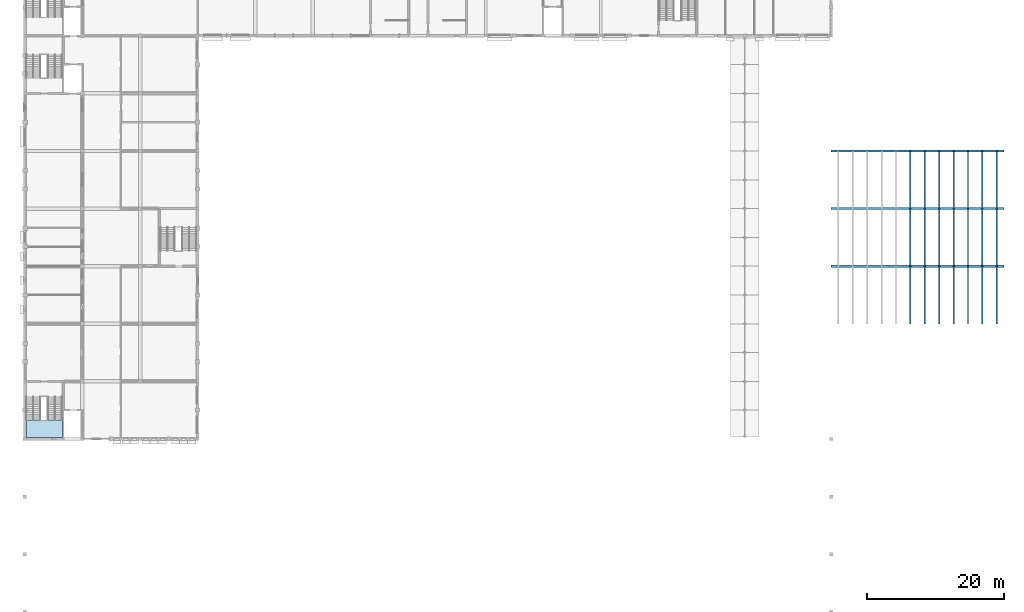
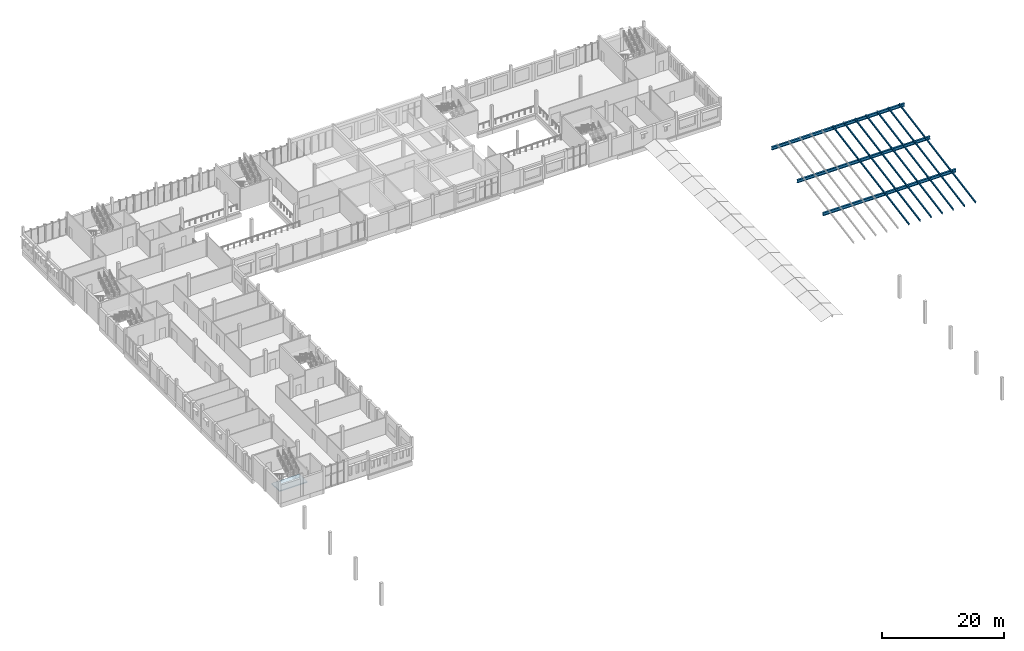
# One storey, part 18 of 38: 21 members, 3 beams, 1 slab, 1 element without a shape of its own.
"""IFC4 building model written with IfcOpenShell, lengths in metres."""

from ifc_helpers import new_model, si_unit, direction, frame, origin, origin_2d, place, context, subcontext, project, spatial, polyline, i_section, outline, extrude, material, layer, layer_set, material_profile, profile_set, type_object, element, aggregate, save


model = new_model("IFC4")

# Units and contexts
model_context = context("Model", 3, precision=1e-05, world=origin(), true_north=direction((0.0, 1.0)))
body_context = subcontext(model_context, "Body", "Model", "MODEL_VIEW")
ifc_project = project(units=[si_unit("LENGTHUNIT", "METRE"), si_unit("AREAUNIT", "SQUARE_METRE"), si_unit("VOLUMEUNIT", "CUBIC_METRE"), si_unit("PLANEANGLEUNIT", "RADIAN"), si_unit("MASSUNIT", "GRAM", prefix="KILO")], contexts=[model_context])

# Site, building, storey
site_placement = place(None, origin())
site = spatial("IfcSite", under=ifc_project, at=site_placement, CompositionType="ELEMENT")
building_placement = place(site_placement, origin())
building = spatial("IfcBuilding", under=site, at=building_placement, Name="Fescue Hill Polytechnic", CompositionType="ELEMENT")
storey_placement = place(building_placement, frame((0.0, 0.0, 18.0)))
storey = spatial("IfcBuildingStorey", under=building, at=storey_placement, Name="L04", CompositionType="ELEMENT", Elevation=18.0)

# Beams
ifc_material_1 = material(Name="Steel 350W (350 MPa)", Category="steel")
ifc_material_profile_1 = material_profile(ifc_material_1, i_section(OverallWidth=0.323974609375, OverallDepth=0.611083984375, WebThickness=0.0126953125, FlangeThickness=0.01904296875, FilletRadius=0.02197265625, at=origin_2d()), Name="W610x155")
ifc_profile_set_1 = profile_set([ifc_material_profile_1], Name="Steel 350W (350 MPa)")
beam_type = type_object("IfcBeamType", Name="Lecture roof girder W610x155", PredefinedType="BEAM", material=ifc_profile_set_1)
for number, where, z_axis, x_axis, name in (
    (1, (117.60009765625, 75.60009765625, 1.45556640625), (1.0, 0.0, 0.0), (0.0, 1.0, 0.0), "Lecture roof girder 3"),
    (2, (117.60009765625, 84.0, 2.95556640625), (1.0, 0.0, 0.0), (0.0, 1.0, 0.0), "Lecture roof girder 4"),
    (3, (117.60009765625, 92.39990234375, 4.45556640625), (1.0, 0.0, 0.0), (0.0, 1.0, 0.0), "Lecture roof girder 5"),
):
    element("IfcBeam", number, at=place(storey_placement, frame(where, z_axis=z_axis, x_axis=x_axis)), inside=storey, type_object=beam_type, Name=name, PredefinedType="BEAM", context=body_context, shape_type="SweptSolid", body=[
        extrude(i_section(OverallWidth=0.323974609375, OverallDepth=0.611083984375, WebThickness=0.0126953125, FlangeThickness=0.01904296875, FilletRadius=0.02197265625, at=origin_2d()), origin(), (0.0, 0.0, 1.0), 25.199951171875),
    ])

# Members
ifc_material_profile_2 = material_profile(ifc_material_1, i_section(OverallWidth=0.202880859375, OverallDepth=0.302978515625, WebThickness=0.007568359375, FlangeThickness=0.01318359375, FilletRadius=0.02001953125, at=origin_2d()), Name="W310x60")
ifc_profile_set_2 = profile_set([ifc_material_profile_2], Name="Steel 350W (350 MPa)")
member_type = type_object("IfcMemberType", Name="Lecture roof purlin W310x60", PredefinedType="PURLIN", material=ifc_profile_set_2)
for number, where, z_axis, x_axis, name in (
    (4, (129.14990234375, 67.199951171875, 0.414794921875), (0.0, 0.984428105997, 0.17578766772), (-1.0, 0.0, 0.0), "Lecture roof purlin 6 bay 2"),
    (5, (131.25, 67.199951171875, 0.414794921875), (0.0, 0.984428105997, 0.17578766772), (-1.0, 0.0, 0.0), "Lecture roof purlin 7 bay 2"),
    (6, (133.35009765625, 67.199951171875, 0.414794921875), (0.0, 0.984428105997, 0.17578766772), (-1.0, 0.0, 0.0), "Lecture roof purlin 8 bay 2"),
    (7, (135.449951171875, 67.199951171875, 0.414794921875), (0.0, 0.984428105997, 0.17578766772), (-1.0, 0.0, 0.0), "Lecture roof purlin 9 bay 2"),
    (8, (137.550048828125, 67.199951171875, 0.414794921875), (0.0, 0.984428105997, 0.17578766772), (-1.0, 0.0, 0.0), "Lecture roof purlin 10 bay 2"),
    (9, (139.64990234375, 67.199951171875, 0.414794921875), (0.0, 0.984428105997, 0.17578766772), (-1.0, 0.0, 0.0), "Lecture roof purlin 11 bay 2"),
    (10, (141.75, 67.199951171875, 0.414794921875), (0.0, 0.984428105997, 0.17578766772), (-1.0, 0.0, 0.0), "Lecture roof purlin 12 bay 2"),
):
    element("IfcMember", number, at=place(storey_placement, frame(where, z_axis=z_axis, x_axis=x_axis)), inside=storey, type_object=member_type, Name=name, PredefinedType="PURLIN", context=body_context, shape_type="SweptSolid", body=[
        extrude(i_section(OverallWidth=0.202880859375, OverallDepth=0.302978515625, WebThickness=0.007568359375, FlangeThickness=0.01318359375, FilletRadius=0.02001953125, at=origin_2d()), origin(), (0.0, 0.0, 1.0), 8.532958984375),
    ])
for number, where, z_axis, x_axis, name in (
    (11, (129.14990234375, 75.60009765625, 1.914794921875), (0.0, 0.984427221834, 0.175792619048), (-1.0, 0.0, 0.0), "Lecture roof purlin 6 bay 3"),
    (12, (131.25, 75.60009765625, 1.914794921875), (0.0, 0.984427221834, 0.175792619048), (-1.0, 0.0, 0.0), "Lecture roof purlin 7 bay 3"),
    (13, (133.35009765625, 75.60009765625, 1.914794921875), (0.0, 0.984427221834, 0.175792619048), (-1.0, 0.0, 0.0), "Lecture roof purlin 8 bay 3"),
    (14, (135.449951171875, 75.60009765625, 1.914794921875), (0.0, 0.984427221834, 0.175792619048), (-1.0, 0.0, 0.0), "Lecture roof purlin 9 bay 3"),
    (15, (137.550048828125, 75.60009765625, 1.914794921875), (0.0, 0.984427221834, 0.175792619048), (-1.0, 0.0, 0.0), "Lecture roof purlin 10 bay 3"),
    (16, (139.64990234375, 75.60009765625, 1.914794921875), (0.0, 0.984427221834, 0.175792619048), (-1.0, 0.0, 0.0), "Lecture roof purlin 11 bay 3"),
    (17, (141.75, 75.60009765625, 1.914794921875), (0.0, 0.984427221834, 0.175792619048), (-1.0, 0.0, 0.0), "Lecture roof purlin 12 bay 3"),
    (18, (129.14990234375, 84.0, 3.414794921875), (0.0, 0.984427221834, 0.175792619048), (-1.0, 0.0, 0.0), "Lecture roof purlin 6 bay 4"),
    (19, (131.25, 84.0, 3.414794921875), (0.0, 0.984427221834, 0.175792619048), (-1.0, 0.0, 0.0), "Lecture roof purlin 7 bay 4"),
    (20, (133.35009765625, 84.0, 3.414794921875), (0.0, 0.984427221834, 0.175792619048), (-1.0, 0.0, 0.0), "Lecture roof purlin 8 bay 4"),
    (21, (135.449951171875, 84.0, 3.414794921875), (0.0, 0.984427221834, 0.175792619048), (-1.0, 0.0, 0.0), "Lecture roof purlin 9 bay 4"),
    (22, (137.550048828125, 84.0, 3.414794921875), (0.0, 0.984427221834, 0.175792619048), (-1.0, 0.0, 0.0), "Lecture roof purlin 10 bay 4"),
    (23, (139.64990234375, 84.0, 3.414794921875), (0.0, 0.984427221834, 0.175792619048), (-1.0, 0.0, 0.0), "Lecture roof purlin 11 bay 4"),
    (24, (141.75, 84.0, 3.414794921875), (0.0, 0.984427221834, 0.175792619048), (-1.0, 0.0, 0.0), "Lecture roof purlin 12 bay 4"),
):
    element("IfcMember", number, at=place(storey_placement, frame(where, z_axis=z_axis, x_axis=x_axis)), inside=storey, type_object=member_type, Name=name, PredefinedType="PURLIN", context=body_context, shape_type="SweptSolid", body=[
        extrude(i_section(OverallWidth=0.202880859375, OverallDepth=0.302978515625, WebThickness=0.007568359375, FlangeThickness=0.01318359375, FilletRadius=0.02001953125, at=origin_2d()), origin(), (0.0, 0.0, 1.0), 8.53271484375),
    ])

# Stair, slab
ifc_material_2 = material(Name="Concrete 35 MPa", Category="concrete")
stair_type = type_object("IfcStairType", Name="Half-turn stair 2150 flights", PredefinedType="HALF_TURN_STAIR", material=ifc_material_2)
stair_placement = place(storey_placement, origin())
stair = element("IfcStair", 25, at=stair_placement, inside=storey, type_object=stair_type, Name="L04 ST-V4-1 stair", PredefinedType="HALF_TURN_STAIR")
ifc_layer = layer(ifc_material_2, 0.199951171875)
ifc_layer_set = layer_set([ifc_layer], Name="Concrete 35 MPa")
slab_type = type_object("IfcSlabType", Name="Stair landing slab 200", PredefinedType="LANDING", material=ifc_layer_set)
slab_placement = place(storey_placement, frame((0.0, 0.0, 2.050048828125)))
slab = element("IfcSlab", 26, at=slab_placement, type_object=slab_type, Name="S15 landing 1", PredefinedType="LANDING", context=body_context, shape_type="SweptSolid", body=[
    extrude(outline(polyline([(0.22509765625, 50.610107421875), (5.5, 50.610107421875), (5.5, 53.1650390625), (0.22509765625, 53.1650390625), (0.22509765625, 50.610107421875)])), origin(), (0.0, 0.0, 1.0), 0.199951171875),
])
aggregate(stair, [slab])

save(model, "model.ifc")
